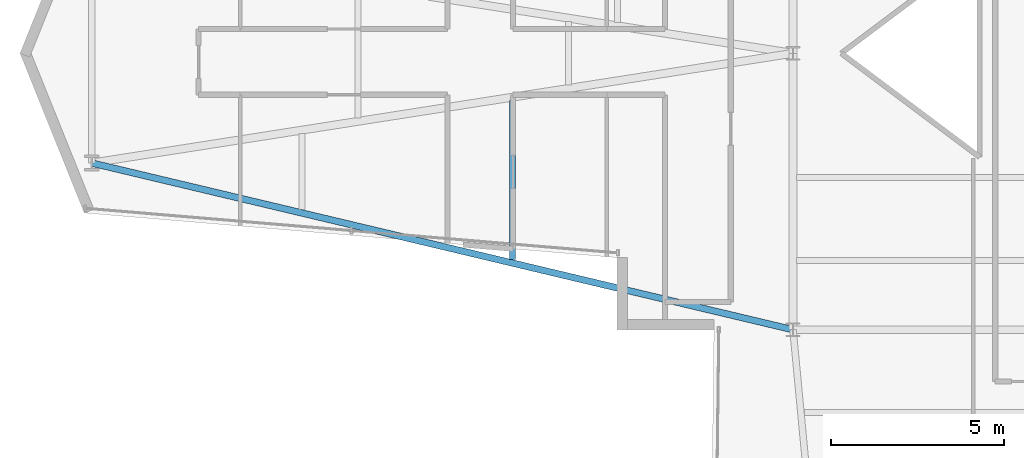
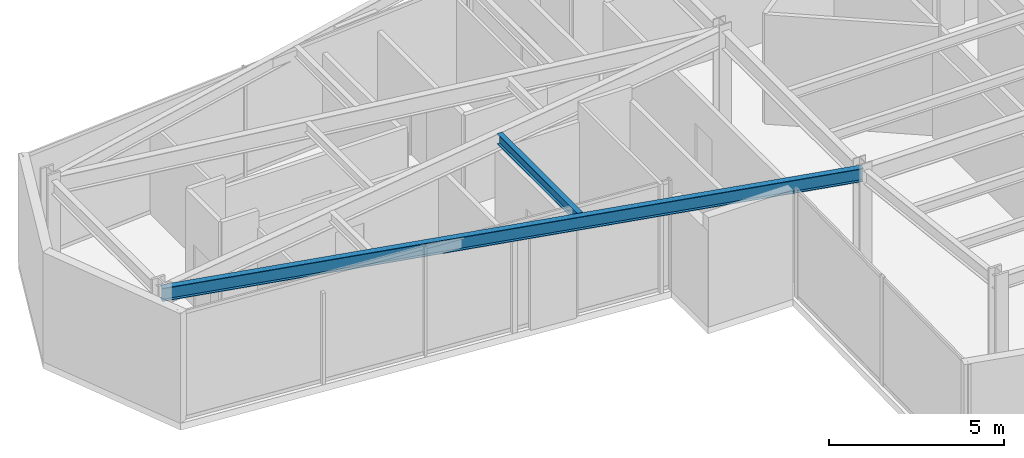
# One storey, part 3 of 25: 2 beams.
"""IFC4 building model written with IfcOpenShell, lengths in metres."""

from ifc_helpers import new_model, si_unit, direction, frame, origin, origin_2d, place, context, subcontext, project, spatial, i_section, extrude, material, material_profile, profile_set, type_object, element, save


model = new_model("IFC4")

# Units and contexts
model_context = context("Model", 3, precision=1e-05, world=origin(), true_north=direction((0.0, 1.0)))
body_context = subcontext(model_context, "Body", "Model", "MODEL_VIEW")
ifc_project = project(units=[si_unit("LENGTHUNIT", "METRE"), si_unit("AREAUNIT", "SQUARE_METRE"), si_unit("VOLUMEUNIT", "CUBIC_METRE"), si_unit("PLANEANGLEUNIT", "RADIAN"), si_unit("MASSUNIT", "GRAM", prefix="KILO")], contexts=[model_context])

# Site, building, storey
site_placement = place(None, origin())
site = spatial("IfcSite", under=ifc_project, at=site_placement, CompositionType="ELEMENT")
building_placement = place(site_placement, origin())
building = spatial("IfcBuilding", under=site, at=building_placement, Name="Veymaron Broadcast Tower", CompositionType="ELEMENT")
storey_placement = place(building_placement, frame((0.0, 0.0, 129.0)))
storey = spatial("IfcBuildingStorey", under=building, at=storey_placement, Name="L29", CompositionType="ELEMENT", Elevation=129.0)

# Beams
ifc_material = material(Name="Structural steel ASTM A992 Gr 50", Category="steel")
ifc_material_profile_1 = material_profile(ifc_material, i_section(OverallWidth=0.1708984375, OverallDepth=0.35498046875, WebThickness=0.007080078125, FlangeThickness=0.01171875, at=origin_2d()), Name="W360X51")
ifc_profile_set_1 = profile_set([ifc_material_profile_1], Name="Structural steel ASTM A992 Gr 50")
beam_type_1 = type_object("IfcBeamType", Name="BM-JS2", PredefinedType="JOIST", material=ifc_profile_set_1)
beam_1_placement = place(storey_placement, frame((23.08203125, 18.030029296875, 3.632568359375), z_axis=(0.0, 1.0, 0.0), x_axis=(-1.0, 0.0, 0.0)))
element("IfcBeam", 1, at=beam_1_placement, inside=storey, type_object=beam_type_1, Name="L29 Arm-A secondary joist 2S", PredefinedType="JOIST", context=body_context, shape_type="SweptSolid", body=[
    extrude(i_section(OverallWidth=0.1708984375, OverallDepth=0.35498046875, WebThickness=0.007080078125, FlangeThickness=0.01171875, at=origin_2d()), origin(), (0.0, 0.0, 1.0), 4.599853515625),
])
ifc_material_profile_2 = material_profile(ifc_material, i_section(OverallWidth=0.19091796875, OverallDepth=0.4599609375, WebThickness=0.010009765625, FlangeThickness=0.01611328125, at=origin_2d()), Name="W460X82")
ifc_profile_set_2 = profile_set([ifc_material_profile_2], Name="Structural steel ASTM A992 Gr 50")
beam_type_2 = type_object("IfcBeamType", Name="BM-SP1", PredefinedType="SPANDREL", material=ifc_profile_set_2)
beam_2_placement = place(storey_placement, frame((10.905029296875, 20.824951171875, 3.580078125), z_axis=(0.972883639047, -0.231295103437, 0.0), x_axis=(0.231295103437, 0.972883639047, 0.0)))
element("IfcBeam", 2, at=beam_2_placement, inside=storey, type_object=beam_type_2, Name="L29 primary structural floor girder", PredefinedType="SPANDREL", context=body_context, shape_type="SweptSolid", body=[
    extrude(i_section(OverallWidth=0.19091796875, OverallDepth=0.4599609375, WebThickness=0.010009765625, FlangeThickness=0.01611328125, at=origin_2d()), origin(), (0.0, 0.0, 1.0), 20.860595703125),
])

save(model, "model.ifc")
